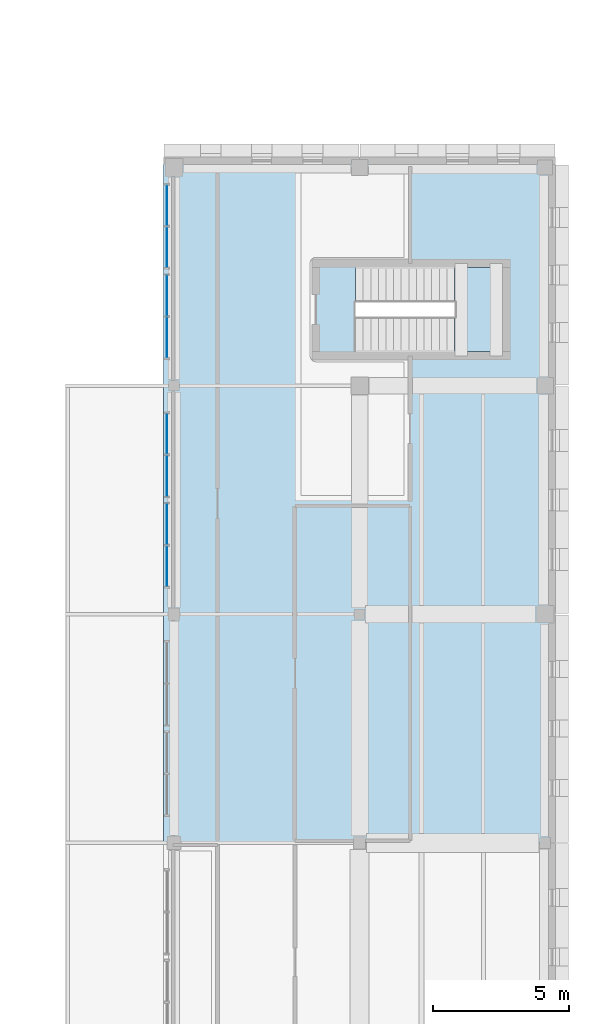
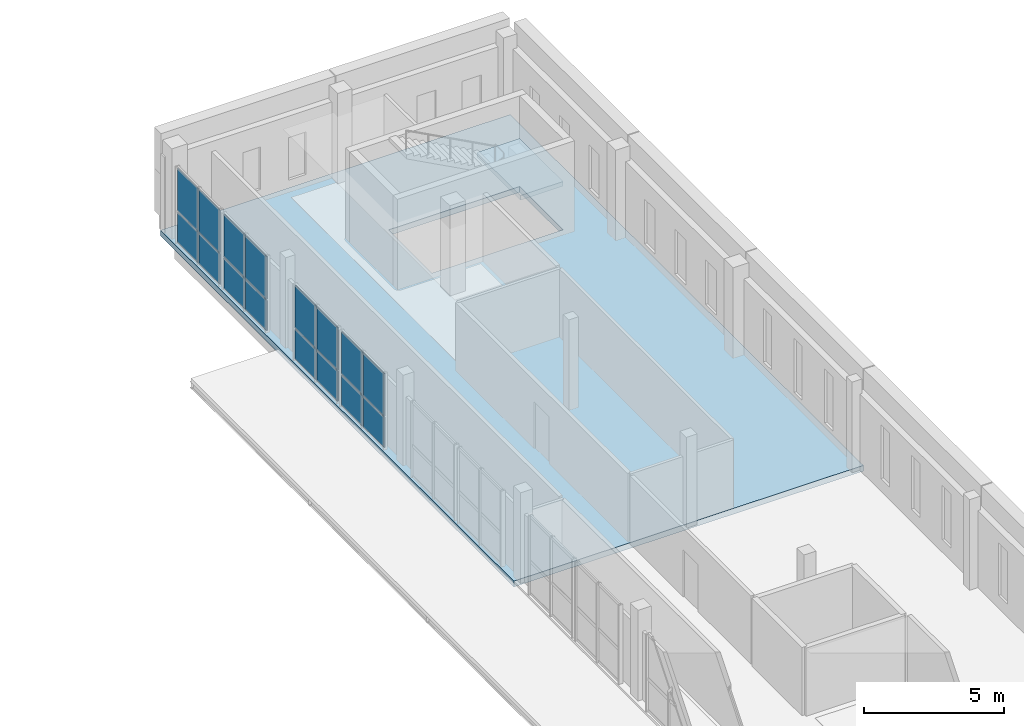
# One storey, part 46 of 76: 16 plates, 2 slabs, 5 elements without a shape of their own.
"""IFC4 building model written with IfcOpenShell, lengths in metres."""

from ifc_helpers import new_model, si_unit, direction, frame, origin, origin_2d, place, context, subcontext, project, spatial, polyline, rectangle, outline, extrude, material, layer, layer_set, type_object, element, aggregate, save


model = new_model("IFC4")

# Units and contexts
model_context = context("Model", 3, precision=1e-05, world=origin(), true_north=direction((0.0, 1.0)))
body_context = subcontext(model_context, "Body", "Model", "MODEL_VIEW")
ifc_project = project(units=[si_unit("LENGTHUNIT", "METRE"), si_unit("AREAUNIT", "SQUARE_METRE"), si_unit("VOLUMEUNIT", "CUBIC_METRE"), si_unit("PLANEANGLEUNIT", "RADIAN"), si_unit("MASSUNIT", "GRAM", prefix="KILO")], contexts=[model_context])

# Site, building, storey
site_placement = place(None, origin())
site = spatial("IfcSite", under=ifc_project, at=site_placement, CompositionType="ELEMENT")
building_placement = place(site_placement, origin())
building = spatial("IfcBuilding", under=site, at=building_placement, Name="Vardoun Plaza Health Centre", CompositionType="ELEMENT")
storey_placement = place(building_placement, frame((0.0, 0.0, 4.5)))
storey = spatial("IfcBuildingStorey", under=building, at=storey_placement, Name="L01", CompositionType="ELEMENT", Elevation=4.5)

# Curtain wall, plates
ifc_material_1 = material(Name="Aluminium Alloy EN AW-6063-T6 and Low-E Glass", Category="aluminium")
ifc_layer_1 = layer(ifc_material_1, 0.179931640625)
ifc_layer_set_1 = layer_set([ifc_layer_1], Name="Aluminium Alloy EN AW-6063-T6 and Low-E Glass")
curtain_wall_type = type_object("IfcCurtainWallType", Name="CW-01", PredefinedType="USERDEFINED", material=ifc_layer_set_1)
curtain_wall_1_placement = place(storey_placement, origin())
curtain_wall_1 = element("IfcCurtainWall", 1, at=curtain_wall_1_placement, inside=storey, type_object=curtain_wall_type, Name="Curtain Wall CW-V6-211", ObjectType="CONCOURSE_CURTAIN_WALL", PredefinedType="USERDEFINED")
ifc_material_2 = material(Name="Acoustic Laminated Double Low-E Glazing", Category="glass")
ifc_layer_2 = layer(ifc_material_2, 0.031982421875)
ifc_layer_set_2 = layer_set([ifc_layer_2], Name="Acoustic Laminated Double Low-E Glazing")
plate_type = type_object("IfcPlateType", Name="CW-P2", PredefinedType="CURTAIN_PANEL", material=ifc_layer_set_2)
plate_1_placement = place(storey_placement, frame((151.02001953125, 71.666259765625, 0.06494140625), z_axis=(0.0, 0.0, 1.0), x_axis=(0.0, 1.0, 0.0)))
plate_1 = element("IfcPlate", 2, at=plate_1_placement, type_object=plate_type, Name="CW-V6-211 panel 1.1", PredefinedType="CURTAIN_PANEL", context=body_context, shape_type="SweptSolid", body=[
    extrude(rectangle(XDim=1.482421875, YDim=0.031982421875, at=origin_2d()), origin(), (0.0, 0.0, 1.0), 1.30322265625),
])
plate_2_placement = place(storey_placement, frame((151.02001953125, 71.666259765625, 1.43310546875), z_axis=(0.0, 0.0, 1.0), x_axis=(0.0, 1.0, 0.0)))
plate_2 = element("IfcPlate", 3, at=plate_2_placement, type_object=plate_type, Name="CW-V6-211 panel 1.2", PredefinedType="CURTAIN_PANEL", context=body_context, shape_type="SweptSolid", body=[
    extrude(rectangle(XDim=1.482421875, YDim=0.031982421875, at=origin_2d()), origin(), (0.0, 0.0, 1.0), 1.8369140625),
])
plate_3_placement = place(storey_placement, frame((151.02001953125, 73.2138671875, 0.06494140625), z_axis=(0.0, 0.0, 1.0), x_axis=(0.0, 1.0, 0.0)))
plate_3 = element("IfcPlate", 4, at=plate_3_placement, type_object=plate_type, Name="CW-V6-211 panel 2.1", PredefinedType="CURTAIN_PANEL", context=body_context, shape_type="SweptSolid", body=[
    extrude(rectangle(XDim=1.482421875, YDim=0.031982421875, at=origin_2d()), origin(), (0.0, 0.0, 1.0), 1.30322265625),
])
plate_4_placement = place(storey_placement, frame((151.02001953125, 73.2138671875, 1.43310546875), z_axis=(0.0, 0.0, 1.0), x_axis=(0.0, 1.0, 0.0)))
plate_4 = element("IfcPlate", 5, at=plate_4_placement, type_object=plate_type, Name="CW-V6-211 panel 2.2", PredefinedType="CURTAIN_PANEL", context=body_context, shape_type="SweptSolid", body=[
    extrude(rectangle(XDim=1.482421875, YDim=0.031982421875, at=origin_2d()), origin(), (0.0, 0.0, 1.0), 1.8369140625),
])
aggregate(curtain_wall_1, [plate_1, plate_2, plate_3, plate_4])

curtain_wall_2_placement = place(storey_placement, origin())
curtain_wall_2 = element("IfcCurtainWall", 6, at=curtain_wall_2_placement, inside=storey, type_object=curtain_wall_type, Name="Curtain Wall CW-V6-212", ObjectType="CONCOURSE_CURTAIN_WALL", PredefinedType="USERDEFINED")
plate_5_placement = place(storey_placement, frame((151.02001953125, 74.986328125, 0.06494140625), z_axis=(0.0, 0.0, 1.0), x_axis=(0.0, 1.0, 0.0)))
plate_5 = element("IfcPlate", 7, at=plate_5_placement, type_object=plate_type, Name="CW-V6-212 panel 1.1", PredefinedType="CURTAIN_PANEL", context=body_context, shape_type="SweptSolid", body=[
    extrude(rectangle(XDim=1.482421875, YDim=0.031982421875, at=origin_2d()), origin(), (0.0, 0.0, 1.0), 1.30322265625),
])
plate_6_placement = place(storey_placement, frame((151.02001953125, 74.986328125, 1.43310546875), z_axis=(0.0, 0.0, 1.0), x_axis=(0.0, 1.0, 0.0)))
plate_6 = element("IfcPlate", 8, at=plate_6_placement, type_object=plate_type, Name="CW-V6-212 panel 1.2", PredefinedType="CURTAIN_PANEL", context=body_context, shape_type="SweptSolid", body=[
    extrude(rectangle(XDim=1.482421875, YDim=0.031982421875, at=origin_2d()), origin(), (0.0, 0.0, 1.0), 1.8369140625),
])
plate_7_placement = place(storey_placement, frame((151.02001953125, 76.53369140625, 0.06494140625), z_axis=(0.0, 0.0, 1.0), x_axis=(0.0, 1.0, 0.0)))
plate_7 = element("IfcPlate", 9, at=plate_7_placement, type_object=plate_type, Name="CW-V6-212 panel 2.1", PredefinedType="CURTAIN_PANEL", context=body_context, shape_type="SweptSolid", body=[
    extrude(rectangle(XDim=1.482421875, YDim=0.031982421875, at=origin_2d()), origin(), (0.0, 0.0, 1.0), 1.30322265625),
])
plate_8_placement = place(storey_placement, frame((151.02001953125, 76.53369140625, 1.43310546875), z_axis=(0.0, 0.0, 1.0), x_axis=(0.0, 1.0, 0.0)))
plate_8 = element("IfcPlate", 10, at=plate_8_placement, type_object=plate_type, Name="CW-V6-212 panel 2.2", PredefinedType="CURTAIN_PANEL", context=body_context, shape_type="SweptSolid", body=[
    extrude(rectangle(XDim=1.482421875, YDim=0.031982421875, at=origin_2d()), origin(), (0.0, 0.0, 1.0), 1.8369140625),
])
aggregate(curtain_wall_2, [plate_5, plate_6, plate_7, plate_8])

curtain_wall_3_placement = place(storey_placement, origin())
curtain_wall_3 = element("IfcCurtainWall", 11, at=curtain_wall_3_placement, inside=storey, type_object=curtain_wall_type, Name="Curtain Wall CW-V6-213", ObjectType="CONCOURSE_CURTAIN_WALL", PredefinedType="USERDEFINED")
plate_9_placement = place(storey_placement, frame((151.02001953125, 80.066162109375, 0.06494140625), z_axis=(0.0, 0.0, 1.0), x_axis=(0.0, 1.0, 0.0)))
plate_9 = element("IfcPlate", 12, at=plate_9_placement, type_object=plate_type, Name="CW-V6-213 panel 1.1", PredefinedType="CURTAIN_PANEL", context=body_context, shape_type="SweptSolid", body=[
    extrude(rectangle(XDim=1.482421875, YDim=0.031982421875, at=origin_2d()), origin(), (0.0, 0.0, 1.0), 1.3115234375),
])
plate_10_placement = place(storey_placement, frame((151.02001953125, 80.066162109375, 1.44140625), z_axis=(0.0, 0.0, 1.0), x_axis=(0.0, 1.0, 0.0)))
plate_10 = element("IfcPlate", 13, at=plate_10_placement, type_object=plate_type, Name="CW-V6-213 panel 1.2", PredefinedType="CURTAIN_PANEL", context=body_context, shape_type="SweptSolid", body=[
    extrude(rectangle(XDim=1.482421875, YDim=0.031982421875, at=origin_2d()), origin(), (0.0, 0.0, 1.0), 1.848388671875),
])
plate_11_placement = place(storey_placement, frame((151.02001953125, 81.61376953125, 0.06494140625), z_axis=(0.0, 0.0, 1.0), x_axis=(0.0, 1.0, 0.0)))
plate_11 = element("IfcPlate", 14, at=plate_11_placement, type_object=plate_type, Name="CW-V6-213 panel 2.1", PredefinedType="CURTAIN_PANEL", context=body_context, shape_type="SweptSolid", body=[
    extrude(rectangle(XDim=1.482421875, YDim=0.031982421875, at=origin_2d()), origin(), (0.0, 0.0, 1.0), 1.3115234375),
])
plate_12_placement = place(storey_placement, frame((151.02001953125, 81.61376953125, 1.44140625), z_axis=(0.0, 0.0, 1.0), x_axis=(0.0, 1.0, 0.0)))
plate_12 = element("IfcPlate", 15, at=plate_12_placement, type_object=plate_type, Name="CW-V6-213 panel 2.2", PredefinedType="CURTAIN_PANEL", context=body_context, shape_type="SweptSolid", body=[
    extrude(rectangle(XDim=1.482421875, YDim=0.031982421875, at=origin_2d()), origin(), (0.0, 0.0, 1.0), 1.848388671875),
])
aggregate(curtain_wall_3, [plate_9, plate_10, plate_11, plate_12])

curtain_wall_4_placement = place(storey_placement, origin())
curtain_wall_4 = element("IfcCurtainWall", 16, at=curtain_wall_4_placement, inside=storey, type_object=curtain_wall_type, Name="Curtain Wall CW-V6-214", ObjectType="CONCOURSE_CURTAIN_WALL", PredefinedType="USERDEFINED")
plate_13_placement = place(storey_placement, frame((151.02001953125, 83.38623046875, 0.06494140625), z_axis=(0.0, 0.0, 1.0), x_axis=(0.0, 1.0, 0.0)))
plate_13 = element("IfcPlate", 17, at=plate_13_placement, type_object=plate_type, Name="CW-V6-214 panel 1.1", PredefinedType="CURTAIN_PANEL", context=body_context, shape_type="SweptSolid", body=[
    extrude(rectangle(XDim=1.482421875, YDim=0.031982421875, at=origin_2d()), origin(), (0.0, 0.0, 1.0), 1.3115234375),
])
plate_14_placement = place(storey_placement, frame((151.02001953125, 83.38623046875, 1.44140625), z_axis=(0.0, 0.0, 1.0), x_axis=(0.0, 1.0, 0.0)))
plate_14 = element("IfcPlate", 18, at=plate_14_placement, type_object=plate_type, Name="CW-V6-214 panel 1.2", PredefinedType="CURTAIN_PANEL", context=body_context, shape_type="SweptSolid", body=[
    extrude(rectangle(XDim=1.482421875, YDim=0.031982421875, at=origin_2d()), origin(), (0.0, 0.0, 1.0), 1.848388671875),
])
plate_15_placement = place(storey_placement, frame((151.02001953125, 84.933837890625, 0.06494140625), z_axis=(0.0, 0.0, 1.0), x_axis=(0.0, 1.0, 0.0)))
plate_15 = element("IfcPlate", 19, at=plate_15_placement, type_object=plate_type, Name="CW-V6-214 panel 2.1", PredefinedType="CURTAIN_PANEL", context=body_context, shape_type="SweptSolid", body=[
    extrude(rectangle(XDim=1.482421875, YDim=0.031982421875, at=origin_2d()), origin(), (0.0, 0.0, 1.0), 1.3115234375),
])
plate_16_placement = place(storey_placement, frame((151.02001953125, 84.933837890625, 1.44140625), z_axis=(0.0, 0.0, 1.0), x_axis=(0.0, 1.0, 0.0)))
plate_16 = element("IfcPlate", 20, at=plate_16_placement, type_object=plate_type, Name="CW-V6-214 panel 2.2", PredefinedType="CURTAIN_PANEL", context=body_context, shape_type="SweptSolid", body=[
    extrude(rectangle(XDim=1.482421875, YDim=0.031982421875, at=origin_2d()), origin(), (0.0, 0.0, 1.0), 1.848388671875),
])
aggregate(curtain_wall_4, [plate_13, plate_14, plate_15, plate_16])

# Stair, slab
ifc_material_3 = material(Name="Concrete C35/45", Category="concrete")
stair_type = type_object("IfcStairType", Name="ST-01", PredefinedType="HALF_TURN_STAIR", material=ifc_material_3)
stair_placement = place(storey_placement, origin())
stair = element("IfcStair", 21, at=stair_placement, inside=storey, type_object=stair_type, Name="Core C11 L01 Exit Stair ST-C11-L01", PredefinedType="HALF_TURN_STAIR")
ifc_material_4 = material(Name="Concrete C35/45", Category="concrete")
ifc_layer_3 = layer(ifc_material_4, 0.199951171875)
ifc_layer_set_3 = layer_set([ifc_layer_3], Name="Concrete C35/45")
slab_type_1 = type_object("IfcSlabType", Name="SL-LD", PredefinedType="LANDING", material=ifc_layer_set_3)
slab_1_placement = place(storey_placement, frame((0.0, 0.0, 1.89990234375)))
slab_1 = element("IfcSlab", 22, at=slab_1_placement, type_object=slab_type_1, Name="ST-C11-L01 landing 1", PredefinedType="LANDING", context=body_context, shape_type="SweptSolid", body=[
    extrude(outline(polyline([(161.58935546875, 79.550048828125), (163.35009765625, 79.550048828125), (163.35009765625, 82.64990234375), (161.58935546875, 82.64990234375), (161.58935546875, 79.550048828125)])), origin(), (0.0, 0.0, 1.0), 0.2001953125),
])
aggregate(stair, [slab_1])

# Slab
ifc_material_5 = material(Name="Concrete C35/45", Category="concrete")
ifc_layer_4 = layer(ifc_material_5, 0.25)
ifc_layer_set_4 = layer_set([ifc_layer_4], Name="Concrete C35/45")
slab_type_2 = type_object("IfcSlabType", Name="SL-01", PredefinedType="FLOOR", material=ifc_layer_set_4)
slab_2_placement = place(storey_placement, frame((0.0, 0.0, -0.25)))
element("IfcSlab", 23, at=slab_2_placement, inside=storey, type_object=slab_type_2, Name="V6 L01 Structural Slab N", PredefinedType="FLOOR", context=body_context, shape_type="SweptSolid", body=[
    extrude(outline(polyline([(150.89990234375, 61.5), (165.300048828125, 61.5), (165.300048828125, 86.699951171875), (150.89990234375, 86.699951171875), (150.89990234375, 61.5)]), holes=[polyline([(157.95068359375, 79.550048828125), (163.35009765625, 79.550048828125), (163.35009765625, 82.64990234375), (157.95068359375, 82.64990234375), (157.95068359375, 79.550048828125)])]), origin(), (0.0, 0.0, 1.0), 0.25),
])

save(model, "model.ifc")
